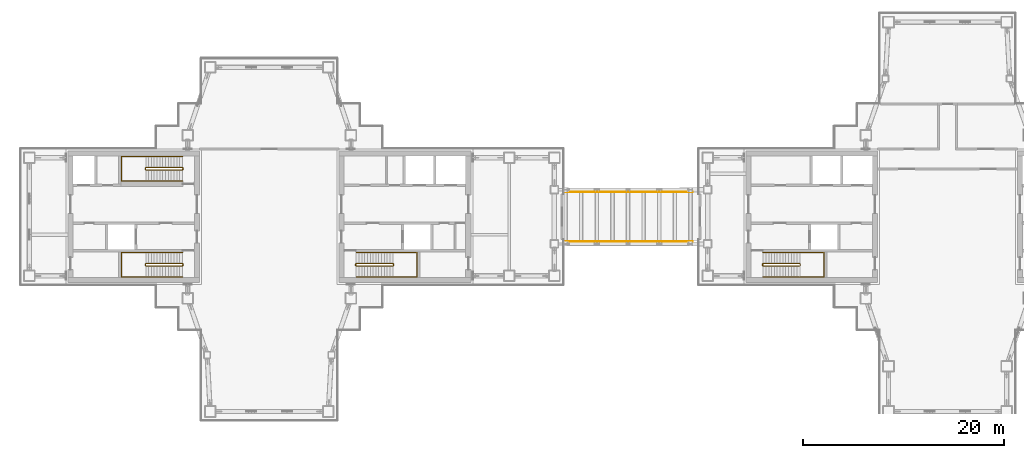
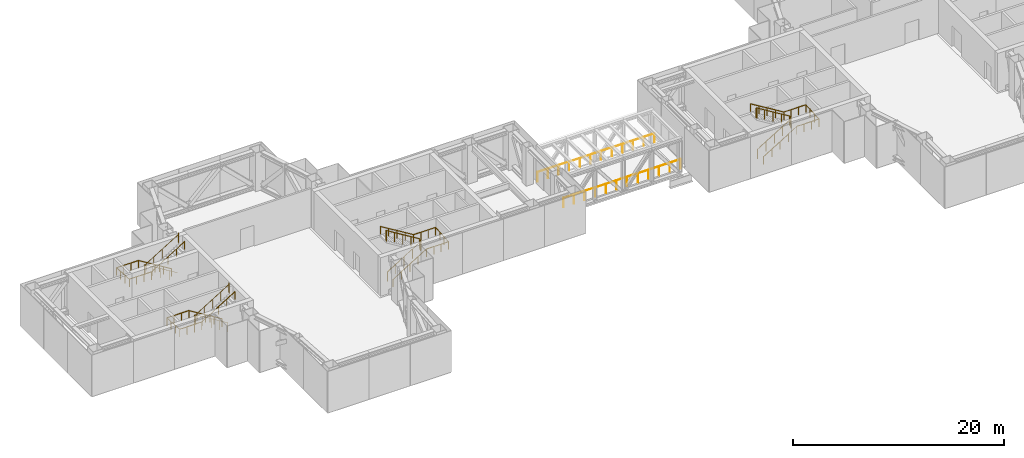
# One storey, part 20 of 21: 10 railings.
"""IFC4 building model written with IfcOpenShell, lengths in metres."""

from ifc_helpers import new_model, si_unit, direction, frame, origin, origin_2d, place, context, subcontext, project, spatial, circle, extrude, material, type_object, element, save


model = new_model("IFC4")

# Units and contexts
model_context = context("Model", 3, precision=1e-05, world=origin(), true_north=direction((0.0, 1.0)))
body_context = subcontext(model_context, "Body", "Model", "MODEL_VIEW")
ifc_project = project(units=[si_unit("LENGTHUNIT", "METRE"), si_unit("AREAUNIT", "SQUARE_METRE"), si_unit("VOLUMEUNIT", "CUBIC_METRE"), si_unit("PLANEANGLEUNIT", "RADIAN"), si_unit("MASSUNIT", "GRAM", prefix="KILO")], contexts=[model_context])

# Site, building, storey
site_placement = place(None, origin())
site = spatial("IfcSite", under=ifc_project, at=site_placement, CompositionType="ELEMENT")
building_placement = place(site_placement, origin())
building = spatial("IfcBuilding", under=site, at=building_placement, Name="Shamsa Quay Exchange Towers", CompositionType="ELEMENT")
storey_placement = place(building_placement, frame((0.0, 0.0, 177.89990234375)))
storey = spatial("IfcBuildingStorey", under=building, at=storey_placement, Name="L42", CompositionType="ELEMENT", Elevation=177.89990234375)

# Railings
ifc_material_1 = material(Name="Steel S355", Category="steel")
railing_type_1 = type_object("IfcRailingType", Name="SKYBRIDGE GUARD 1100", PredefinedType="GUARDRAIL", material=ifc_material_1)
for number, where, name in (
    (1, (-4.449951171875, -2.463623046875, 0.0), "Skybridge guard BR3 S"),
    (2, (-4.449951171875, 2.463623046875, 0.0), "Skybridge guard BR3 N"),
):
    element("IfcRailing", number, at=place(storey_placement, frame(where)), inside=storey, type_object=railing_type_1, Name=name, PredefinedType="GUARDRAIL", context=body_context, shape_type="SweptSolid", body=[
        extrude(circle(Radius=0.02392578125, at=origin_2d()), frame((0.0, 0.0, 1.076171875), z_axis=(1.0, 0.0, 0.0), x_axis=(0.0, 1.0, 0.0)), (0.0, 0.0, 1.0), 12.800048828125),
        extrude(circle(Radius=0.02099609375, at=origin_2d()), origin(), (0.0, 0.0, 1.0), 1.052001953125),
        extrude(circle(Radius=0.02099609375, at=origin_2d()), frame((1.16357421875, 0.0, 0.0)), (0.0, 0.0, 1.0), 1.052001953125),
        extrude(circle(Radius=0.02099609375, at=origin_2d()), frame((2.327392578125, 0.0, 0.0)), (0.0, 0.0, 1.0), 1.052001953125),
        extrude(circle(Radius=0.02099609375, at=origin_2d()), frame((3.490966796875, 0.0, 0.0)), (0.0, 0.0, 1.0), 1.052001953125),
        extrude(circle(Radius=0.02099609375, at=origin_2d()), frame((4.654541015625, 0.0, 0.0)), (0.0, 0.0, 1.0), 1.052001953125),
        extrude(circle(Radius=0.02099609375, at=origin_2d()), frame((5.818115234375, 0.0, 0.0)), (0.0, 0.0, 1.0), 1.052001953125),
        extrude(circle(Radius=0.02099609375, at=origin_2d()), frame((6.98193359375, 0.0, 0.0)), (0.0, 0.0, 1.0), 1.052001953125),
        extrude(circle(Radius=0.02099609375, at=origin_2d()), frame((8.1455078125, 0.0, 0.0)), (0.0, 0.0, 1.0), 1.052001953125),
        extrude(circle(Radius=0.02099609375, at=origin_2d()), frame((9.30908203125, 0.0, 0.0)), (0.0, 0.0, 1.0), 1.052001953125),
        extrude(circle(Radius=0.02099609375, at=origin_2d()), frame((10.47265625, 0.0, 0.0)), (0.0, 0.0, 1.0), 1.052001953125),
        extrude(circle(Radius=0.02099609375, at=origin_2d()), frame((11.636474609375, 0.0, 0.0)), (0.0, 0.0, 1.0), 1.052001953125),
        extrude(circle(Radius=0.02099609375, at=origin_2d()), frame((12.800048828125, 0.0, 0.0)), (0.0, 0.0, 1.0), 1.052001953125),
    ])
ifc_material_2 = material(Name="Stainless steel", Category="steel")
railing_type_2 = type_object("IfcRailingType", Name="STAIR GUARD 1100", PredefinedType="GUARDRAIL", material=ifc_material_2)
railing_1_placement = place(storey_placement, frame((-25.10009765625, -4.89990234375, 0.171630859375)))
element("IfcRailing", 3, at=railing_1_placement, inside=storey, type_object=railing_type_2, Name="L42 ST1 stair guard 1", PredefinedType="GUARDRAIL", context=body_context, shape_type="SweptSolid", body=[
    extrude(circle(Radius=0.02392578125, at=origin_2d()), frame((0.0, 0.0, 1.076171875), z_axis=(0.852865859571, 0.0, 0.52213008492), x_axis=(0.0, 1.0, 0.0)), (0.0, 0.0, 1.0), 4.26806640625),
    extrude(circle(Radius=0.02392578125, at=origin_2d()), frame((3.64013671875, 0.0, 3.3046875), z_axis=(0.708833529934, 0.705375805398, 0.0), x_axis=(-0.705375805398, 0.708833529934, 0.0)), (0.0, 0.0, 1.0), 0.070556640625),
    extrude(circle(Radius=0.02392578125, at=origin_2d()), frame((3.690185546875, 0.0498046875, 3.3046875), z_axis=(0.0, 1.0, 0.0), x_axis=(-1.0, 0.0, 0.0)), (0.0, 0.0, 1.0), 0.150146484375),
    extrude(circle(Radius=0.02392578125, at=origin_2d()), frame((3.690185546875, 0.199951171875, 3.3046875), z_axis=(-0.269911200495, 0.269911200495, 0.924281281696), x_axis=(-0.707106781187, -0.707106781187, 0.0)), (0.0, 0.0, 1.0), 0.185546875),
    extrude(circle(Radius=0.02392578125, at=origin_2d()), frame((3.64013671875, 0.25, 3.47607421875), z_axis=(-0.852865859571, 0.0, 0.52213008492), x_axis=(0.0, -1.0, 0.0)), (0.0, 0.0, 1.0), 4.26806640625),
    extrude(circle(Radius=0.02392578125, at=origin_2d()), frame((0.0, 0.25, 5.70458984375), z_axis=(-0.24142163986, -0.970420317083, 0.0), x_axis=(0.970420317083, -0.24142163986, 0.0)), (0.0, 0.0, 1.0), 0.206298828125),
    extrude(circle(Radius=0.02392578125, at=origin_2d()), frame((-0.0498046875, 0.0498046875, 5.70458984375), z_axis=(0.0, 1.0, 0.0), x_axis=(-1.0, 0.0, 0.0)), (0.0, 0.0, 1.0), 0.150146484375),
    extrude(circle(Radius=0.02099609375, at=origin_2d()), origin(), (0.0, 0.0, 1.0), 1.052001953125),
    extrude(circle(Radius=0.02099609375, at=origin_2d()), frame((0.91015625, 0.0, 0.55712890625)), (0.0, 0.0, 1.0), 1.052001953125),
    extrude(circle(Radius=0.02099609375, at=origin_2d()), frame((1.820068359375, 0.0, 1.1142578125)), (0.0, 0.0, 1.0), 1.052001953125),
    extrude(circle(Radius=0.02099609375, at=origin_2d()), frame((2.72998046875, 0.0, 1.67138671875)), (0.0, 0.0, 1.0), 1.052001953125),
    extrude(circle(Radius=0.02099609375, at=origin_2d()), frame((3.64013671875, 0.0, 2.228515625)), (0.0, 0.0, 1.0), 1.052001953125),
    extrude(circle(Radius=0.02099609375, at=origin_2d()), frame((3.690185546875, 0.0498046875, 2.228515625)), (0.0, 0.0, 1.0), 1.052001953125),
    extrude(circle(Radius=0.02099609375, at=origin_2d()), frame((3.690185546875, 0.199951171875, 2.228515625)), (0.0, 0.0, 1.0), 1.052001953125),
    extrude(circle(Radius=0.02099609375, at=origin_2d()), frame((3.64013671875, 0.25, 2.39990234375)), (0.0, 0.0, 1.0), 1.052001953125),
    extrude(circle(Radius=0.02099609375, at=origin_2d()), frame((2.72998046875, 0.25, 2.95703125)), (0.0, 0.0, 1.0), 1.052001953125),
    extrude(circle(Radius=0.02099609375, at=origin_2d()), frame((1.820068359375, 0.25, 3.51416015625)), (0.0, 0.0, 1.0), 1.052001953125),
    extrude(circle(Radius=0.02099609375, at=origin_2d()), frame((0.91015625, 0.25, 4.0712890625)), (0.0, 0.0, 1.0), 1.052001953125),
    extrude(circle(Radius=0.02099609375, at=origin_2d()), frame((0.0, 0.25, 4.62841796875)), (0.0, 0.0, 1.0), 1.052001953125),
    extrude(circle(Radius=0.02099609375, at=origin_2d()), frame((-0.0498046875, 0.0498046875, 4.62841796875)), (0.0, 0.0, 1.0), 1.052001953125),
    extrude(circle(Radius=0.02099609375, at=origin_2d()), frame((-0.0498046875, 0.199951171875, 4.62841796875)), (0.0, 0.0, 1.0), 1.052001953125),
])
railing_2_placement = place(storey_placement, frame((-42.39990234375, -4.64990234375, 0.171630859375)))
element("IfcRailing", 4, at=railing_2_placement, inside=storey, type_object=railing_type_2, Name="L42 ST2 stair guard 1", PredefinedType="GUARDRAIL", context=body_context, shape_type="SweptSolid", body=[
    extrude(circle(Radius=0.02392578125, at=origin_2d()), frame((0.0, 0.0, 1.076171875), z_axis=(-0.852865859571, 0.0, 0.52213008492), x_axis=(0.0, -1.0, 0.0)), (0.0, 0.0, 1.0), 4.26806640625),
    extrude(circle(Radius=0.02392578125, at=origin_2d()), frame((-3.64013671875, 0.0, 3.3046875), z_axis=(-0.707106781187, -0.707106781187, 0.0), x_axis=(0.707106781187, -0.707106781187, 0.0)), (0.0, 0.0, 1.0), 0.07080078125),
    extrude(circle(Radius=0.02392578125, at=origin_2d()), frame((-3.690185546875, -0.050048828125, 3.3046875), z_axis=(0.0, -1.0, 0.0), x_axis=(1.0, 0.0, 0.0)), (0.0, 0.0, 1.0), 0.150146484375),
    extrude(circle(Radius=0.02392578125, at=origin_2d()), frame((-3.690185546875, -0.2001953125, 3.3046875), z_axis=(0.270006937388, -0.268689830376, 0.924609122178), x_axis=(0.705375805398, 0.708833529934, 0.0)), (0.0, 0.0, 1.0), 0.185302734375),
    extrude(circle(Radius=0.02392578125, at=origin_2d()), frame((-3.64013671875, -0.25, 3.47607421875), z_axis=(0.852865859571, 0.0, 0.52213008492), x_axis=(0.0, 1.0, 0.0)), (0.0, 0.0, 1.0), 4.26806640625),
    extrude(circle(Radius=0.02392578125, at=origin_2d()), frame((0.0, -0.25, 5.70458984375), z_axis=(0.241699205484, 0.970351222016, 0.0), x_axis=(-0.970351222016, 0.241699205484, 0.0)), (0.0, 0.0, 1.0), 0.2060546875),
    extrude(circle(Radius=0.02392578125, at=origin_2d()), frame((0.0498046875, -0.050048828125, 5.70458984375), z_axis=(0.0, -1.0, 0.0), x_axis=(1.0, 0.0, 0.0)), (0.0, 0.0, 1.0), 0.150146484375),
    extrude(circle(Radius=0.02099609375, at=origin_2d()), origin(), (0.0, 0.0, 1.0), 1.052001953125),
    extrude(circle(Radius=0.02099609375, at=origin_2d()), frame((-0.91015625, 0.0, 0.55712890625)), (0.0, 0.0, 1.0), 1.052001953125),
    extrude(circle(Radius=0.02099609375, at=origin_2d()), frame((-1.820068359375, 0.0, 1.1142578125)), (0.0, 0.0, 1.0), 1.052001953125),
    extrude(circle(Radius=0.02099609375, at=origin_2d()), frame((-2.72998046875, 0.0, 1.67138671875)), (0.0, 0.0, 1.0), 1.052001953125),
    extrude(circle(Radius=0.02099609375, at=origin_2d()), frame((-3.64013671875, 0.0, 2.228515625)), (0.0, 0.0, 1.0), 1.052001953125),
    extrude(circle(Radius=0.02099609375, at=origin_2d()), frame((-3.690185546875, -0.050048828125, 2.228515625)), (0.0, 0.0, 1.0), 1.052001953125),
    extrude(circle(Radius=0.02099609375, at=origin_2d()), frame((-3.690185546875, -0.2001953125, 2.228515625)), (0.0, 0.0, 1.0), 1.052001953125),
    extrude(circle(Radius=0.02099609375, at=origin_2d()), frame((-3.64013671875, -0.25, 2.39990234375)), (0.0, 0.0, 1.0), 1.052001953125),
    extrude(circle(Radius=0.02099609375, at=origin_2d()), frame((-2.72998046875, -0.25, 2.95703125)), (0.0, 0.0, 1.0), 1.052001953125),
    extrude(circle(Radius=0.02099609375, at=origin_2d()), frame((-1.820068359375, -0.25, 3.51416015625)), (0.0, 0.0, 1.0), 1.052001953125),
    extrude(circle(Radius=0.02099609375, at=origin_2d()), frame((-0.91015625, -0.25, 4.0712890625)), (0.0, 0.0, 1.0), 1.052001953125),
    extrude(circle(Radius=0.02099609375, at=origin_2d()), frame((0.0, -0.25, 4.62841796875)), (0.0, 0.0, 1.0), 1.052001953125),
    extrude(circle(Radius=0.02099609375, at=origin_2d()), frame((0.0498046875, -0.050048828125, 4.62841796875)), (0.0, 0.0, 1.0), 1.052001953125),
    extrude(circle(Radius=0.02099609375, at=origin_2d()), frame((0.0498046875, -0.2001953125, 4.62841796875)), (0.0, 0.0, 1.0), 1.052001953125),
])
railing_3_placement = place(storey_placement, frame((-42.39990234375, 4.89990234375, 0.171630859375)))
element("IfcRailing", 5, at=railing_3_placement, inside=storey, type_object=railing_type_2, Name="L42 ST3 stair guard 1", PredefinedType="GUARDRAIL", context=body_context, shape_type="SweptSolid", body=[
    extrude(circle(Radius=0.02392578125, at=origin_2d()), frame((0.0, 0.0, 1.076171875), z_axis=(-0.852865859571, 0.0, 0.52213008492), x_axis=(0.0, -1.0, 0.0)), (0.0, 0.0, 1.0), 4.26806640625),
    extrude(circle(Radius=0.02392578125, at=origin_2d()), frame((-3.64013671875, 0.0, 3.3046875), z_axis=(-0.708833529934, -0.705375805398, 0.0), x_axis=(0.705375805398, -0.708833529934, 0.0)), (0.0, 0.0, 1.0), 0.070556640625),
    extrude(circle(Radius=0.02392578125, at=origin_2d()), frame((-3.690185546875, -0.0498046875, 3.3046875), z_axis=(0.0, -1.0, 0.0), x_axis=(1.0, 0.0, 0.0)), (0.0, 0.0, 1.0), 0.150146484375),
    extrude(circle(Radius=0.02392578125, at=origin_2d()), frame((-3.690185546875, -0.199951171875, 3.3046875), z_axis=(0.269911200495, -0.269911200495, 0.924281281696), x_axis=(0.707106781187, 0.707106781187, 0.0)), (0.0, 0.0, 1.0), 0.185546875),
    extrude(circle(Radius=0.02392578125, at=origin_2d()), frame((-3.64013671875, -0.25, 3.47607421875), z_axis=(0.852865859571, 0.0, 0.52213008492), x_axis=(0.0, 1.0, 0.0)), (0.0, 0.0, 1.0), 4.26806640625),
    extrude(circle(Radius=0.02392578125, at=origin_2d()), frame((0.0, -0.25, 5.70458984375), z_axis=(0.24142163986, 0.970420317083, 0.0), x_axis=(-0.970420317083, 0.24142163986, 0.0)), (0.0, 0.0, 1.0), 0.206298828125),
    extrude(circle(Radius=0.02392578125, at=origin_2d()), frame((0.0498046875, -0.0498046875, 5.70458984375), z_axis=(0.0, -1.0, 0.0), x_axis=(1.0, 0.0, 0.0)), (0.0, 0.0, 1.0), 0.150146484375),
    extrude(circle(Radius=0.02099609375, at=origin_2d()), origin(), (0.0, 0.0, 1.0), 1.052001953125),
    extrude(circle(Radius=0.02099609375, at=origin_2d()), frame((-0.91015625, 0.0, 0.55712890625)), (0.0, 0.0, 1.0), 1.052001953125),
    extrude(circle(Radius=0.02099609375, at=origin_2d()), frame((-1.820068359375, 0.0, 1.1142578125)), (0.0, 0.0, 1.0), 1.052001953125),
    extrude(circle(Radius=0.02099609375, at=origin_2d()), frame((-2.72998046875, 0.0, 1.67138671875)), (0.0, 0.0, 1.0), 1.052001953125),
    extrude(circle(Radius=0.02099609375, at=origin_2d()), frame((-3.64013671875, 0.0, 2.228515625)), (0.0, 0.0, 1.0), 1.052001953125),
    extrude(circle(Radius=0.02099609375, at=origin_2d()), frame((-3.690185546875, -0.0498046875, 2.228515625)), (0.0, 0.0, 1.0), 1.052001953125),
    extrude(circle(Radius=0.02099609375, at=origin_2d()), frame((-3.690185546875, -0.199951171875, 2.228515625)), (0.0, 0.0, 1.0), 1.052001953125),
    extrude(circle(Radius=0.02099609375, at=origin_2d()), frame((-3.64013671875, -0.25, 2.39990234375)), (0.0, 0.0, 1.0), 1.052001953125),
    extrude(circle(Radius=0.02099609375, at=origin_2d()), frame((-2.72998046875, -0.25, 2.95703125)), (0.0, 0.0, 1.0), 1.052001953125),
    extrude(circle(Radius=0.02099609375, at=origin_2d()), frame((-1.820068359375, -0.25, 3.51416015625)), (0.0, 0.0, 1.0), 1.052001953125),
    extrude(circle(Radius=0.02099609375, at=origin_2d()), frame((-0.91015625, -0.25, 4.0712890625)), (0.0, 0.0, 1.0), 1.052001953125),
    extrude(circle(Radius=0.02099609375, at=origin_2d()), frame((0.0, -0.25, 4.62841796875)), (0.0, 0.0, 1.0), 1.052001953125),
    extrude(circle(Radius=0.02099609375, at=origin_2d()), frame((0.0498046875, -0.0498046875, 4.62841796875)), (0.0, 0.0, 1.0), 1.052001953125),
    extrude(circle(Radius=0.02099609375, at=origin_2d()), frame((0.0498046875, -0.199951171875, 4.62841796875)), (0.0, 0.0, 1.0), 1.052001953125),
])
railing_4_placement = place(storey_placement, frame((15.39990234375, -4.89990234375, 0.171630859375)))
element("IfcRailing", 6, at=railing_4_placement, inside=storey, type_object=railing_type_2, Name="L42 ST4 stair guard 1", PredefinedType="GUARDRAIL", context=body_context, shape_type="SweptSolid", body=[
    extrude(circle(Radius=0.02392578125, at=origin_2d()), frame((0.0, 0.0, 1.076171875), z_axis=(0.852865859571, 0.0, 0.52213008492), x_axis=(0.0, 1.0, 0.0)), (0.0, 0.0, 1.0), 4.26806640625),
    extrude(circle(Radius=0.02392578125, at=origin_2d()), frame((3.64013671875, 0.0, 3.3046875), z_axis=(0.708833529934, 0.705375805398, 0.0), x_axis=(-0.705375805398, 0.708833529934, 0.0)), (0.0, 0.0, 1.0), 0.070556640625),
    extrude(circle(Radius=0.02392578125, at=origin_2d()), frame((3.690185546875, 0.0498046875, 3.3046875), z_axis=(0.0, 1.0, 0.0), x_axis=(-1.0, 0.0, 0.0)), (0.0, 0.0, 1.0), 0.150146484375),
    extrude(circle(Radius=0.02392578125, at=origin_2d()), frame((3.690185546875, 0.199951171875, 3.3046875), z_axis=(-0.269911200495, 0.269911200495, 0.924281281696), x_axis=(-0.707106781187, -0.707106781187, 0.0)), (0.0, 0.0, 1.0), 0.185546875),
    extrude(circle(Radius=0.02392578125, at=origin_2d()), frame((3.64013671875, 0.25, 3.47607421875), z_axis=(-0.852865859571, 0.0, 0.52213008492), x_axis=(0.0, -1.0, 0.0)), (0.0, 0.0, 1.0), 4.26806640625),
    extrude(circle(Radius=0.02392578125, at=origin_2d()), frame((0.0, 0.25, 5.70458984375), z_axis=(-0.24142163986, -0.970420317083, 0.0), x_axis=(0.970420317083, -0.24142163986, 0.0)), (0.0, 0.0, 1.0), 0.206298828125),
    extrude(circle(Radius=0.02392578125, at=origin_2d()), frame((-0.0498046875, 0.0498046875, 5.70458984375), z_axis=(0.0, 1.0, 0.0), x_axis=(-1.0, 0.0, 0.0)), (0.0, 0.0, 1.0), 0.150146484375),
    extrude(circle(Radius=0.02099609375, at=origin_2d()), origin(), (0.0, 0.0, 1.0), 1.052001953125),
    extrude(circle(Radius=0.02099609375, at=origin_2d()), frame((0.91015625, 0.0, 0.55712890625)), (0.0, 0.0, 1.0), 1.052001953125),
    extrude(circle(Radius=0.02099609375, at=origin_2d()), frame((1.820068359375, 0.0, 1.1142578125)), (0.0, 0.0, 1.0), 1.052001953125),
    extrude(circle(Radius=0.02099609375, at=origin_2d()), frame((2.72998046875, 0.0, 1.67138671875)), (0.0, 0.0, 1.0), 1.052001953125),
    extrude(circle(Radius=0.02099609375, at=origin_2d()), frame((3.64013671875, 0.0, 2.228515625)), (0.0, 0.0, 1.0), 1.052001953125),
    extrude(circle(Radius=0.02099609375, at=origin_2d()), frame((3.690185546875, 0.0498046875, 2.228515625)), (0.0, 0.0, 1.0), 1.052001953125),
    extrude(circle(Radius=0.02099609375, at=origin_2d()), frame((3.690185546875, 0.199951171875, 2.228515625)), (0.0, 0.0, 1.0), 1.052001953125),
    extrude(circle(Radius=0.02099609375, at=origin_2d()), frame((3.64013671875, 0.25, 2.39990234375)), (0.0, 0.0, 1.0), 1.052001953125),
    extrude(circle(Radius=0.02099609375, at=origin_2d()), frame((2.72998046875, 0.25, 2.95703125)), (0.0, 0.0, 1.0), 1.052001953125),
    extrude(circle(Radius=0.02099609375, at=origin_2d()), frame((1.820068359375, 0.25, 3.51416015625)), (0.0, 0.0, 1.0), 1.052001953125),
    extrude(circle(Radius=0.02099609375, at=origin_2d()), frame((0.91015625, 0.25, 4.0712890625)), (0.0, 0.0, 1.0), 1.052001953125),
    extrude(circle(Radius=0.02099609375, at=origin_2d()), frame((0.0, 0.25, 4.62841796875)), (0.0, 0.0, 1.0), 1.052001953125),
    extrude(circle(Radius=0.02099609375, at=origin_2d()), frame((-0.0498046875, 0.0498046875, 4.62841796875)), (0.0, 0.0, 1.0), 1.052001953125),
    extrude(circle(Radius=0.02099609375, at=origin_2d()), frame((-0.0498046875, 0.199951171875, 4.62841796875)), (0.0, 0.0, 1.0), 1.052001953125),
])
railing_type_3 = type_object("IfcRailingType", Name="STAIR HANDRAIL 900", PredefinedType="HANDRAIL", material=ifc_material_2)
railing_5_placement = place(storey_placement, frame((-25.10009765625, -6.0, 0.171630859375)))
element("IfcRailing", 7, at=railing_5_placement, inside=storey, type_object=railing_type_3, Name="L42 ST1 stair handrail 1", PredefinedType="HANDRAIL", context=body_context, shape_type="SweptSolid", body=[
    extrude(circle(Radius=0.02392578125, at=origin_2d()), frame((0.0, 0.0, 0.8759765625), z_axis=(0.852865859571, 0.0, 0.52213008492), x_axis=(0.0, 1.0, 0.0)), (0.0, 0.0, 1.0), 4.26806640625),
    extrude(circle(Radius=0.02392578125, at=origin_2d()), frame((3.64013671875, 0.0, 3.1044921875), z_axis=(1.0, 0.0, 0.0), x_axis=(0.0, 1.0, 0.0)), (0.0, 0.0, 1.0), 2.409912109375),
    extrude(circle(Radius=0.02392578125, at=origin_2d()), frame((6.050048828125, 0.0, 3.1044921875), z_axis=(0.0, 0.99756208224, 0.069784612031), x_axis=(-1.0, 0.0, 0.0)), (0.0, 0.0, 1.0), 2.4560546875),
    extrude(circle(Radius=0.02392578125, at=origin_2d()), frame((6.050048828125, 2.449951171875, 3.27587890625), z_axis=(-1.0, 0.0, 0.0), x_axis=(0.0, -1.0, 0.0)), (0.0, 0.0, 1.0), 2.409912109375),
    extrude(circle(Radius=0.02392578125, at=origin_2d()), frame((3.64013671875, 2.449951171875, 3.27587890625), z_axis=(-0.852865859571, 0.0, 0.52213008492), x_axis=(0.0, -1.0, 0.0)), (0.0, 0.0, 1.0), 4.26806640625),
    extrude(circle(Radius=0.02099609375, at=origin_2d()), origin(), (0.0, 0.0, 1.0), 0.851806640625),
    extrude(circle(Radius=0.02099609375, at=origin_2d()), frame((0.91015625, 0.0, 0.55712890625)), (0.0, 0.0, 1.0), 0.851806640625),
    extrude(circle(Radius=0.02099609375, at=origin_2d()), frame((1.820068359375, 0.0, 1.1142578125)), (0.0, 0.0, 1.0), 0.851806640625),
    extrude(circle(Radius=0.02099609375, at=origin_2d()), frame((2.72998046875, 0.0, 1.67138671875)), (0.0, 0.0, 1.0), 0.851806640625),
    extrude(circle(Radius=0.02099609375, at=origin_2d()), frame((3.64013671875, 0.0, 2.228515625)), (0.0, 0.0, 1.0), 0.851806640625),
    extrude(circle(Radius=0.02099609375, at=origin_2d()), frame((4.443359375, 0.0, 2.228515625)), (0.0, 0.0, 1.0), 0.851806640625),
    extrude(circle(Radius=0.02099609375, at=origin_2d()), frame((5.246826171875, 0.0, 2.228515625)), (0.0, 0.0, 1.0), 0.851806640625),
    extrude(circle(Radius=0.02099609375, at=origin_2d()), frame((6.050048828125, 0.0, 2.228515625)), (0.0, 0.0, 1.0), 0.851806640625),
    extrude(circle(Radius=0.02099609375, at=origin_2d()), frame((6.050048828125, 0.816650390625, 2.28564453125)), (0.0, 0.0, 1.0), 0.851806640625),
    extrude(circle(Radius=0.02099609375, at=origin_2d()), frame((6.050048828125, 1.63330078125, 2.3427734375)), (0.0, 0.0, 1.0), 0.851806640625),
    extrude(circle(Radius=0.02099609375, at=origin_2d()), frame((6.050048828125, 2.449951171875, 2.39990234375)), (0.0, 0.0, 1.0), 0.851806640625),
    extrude(circle(Radius=0.02099609375, at=origin_2d()), frame((5.246826171875, 2.449951171875, 2.39990234375)), (0.0, 0.0, 1.0), 0.851806640625),
    extrude(circle(Radius=0.02099609375, at=origin_2d()), frame((4.443359375, 2.449951171875, 2.39990234375)), (0.0, 0.0, 1.0), 0.851806640625),
    extrude(circle(Radius=0.02099609375, at=origin_2d()), frame((3.64013671875, 2.449951171875, 2.39990234375)), (0.0, 0.0, 1.0), 0.851806640625),
    extrude(circle(Radius=0.02099609375, at=origin_2d()), frame((2.72998046875, 2.449951171875, 2.95703125)), (0.0, 0.0, 1.0), 0.851806640625),
    extrude(circle(Radius=0.02099609375, at=origin_2d()), frame((1.820068359375, 2.449951171875, 3.51416015625)), (0.0, 0.0, 1.0), 0.851806640625),
    extrude(circle(Radius=0.02099609375, at=origin_2d()), frame((0.91015625, 2.449951171875, 4.0712890625)), (0.0, 0.0, 1.0), 0.851806640625),
    extrude(circle(Radius=0.02099609375, at=origin_2d()), frame((0.0, 2.449951171875, 4.62841796875)), (0.0, 0.0, 1.0), 0.851806640625),
])
railing_6_placement = place(storey_placement, frame((-42.39990234375, -3.550048828125, 0.171630859375)))
element("IfcRailing", 8, at=railing_6_placement, inside=storey, type_object=railing_type_3, Name="L42 ST2 stair handrail 1", PredefinedType="HANDRAIL", context=body_context, shape_type="SweptSolid", body=[
    extrude(circle(Radius=0.02392578125, at=origin_2d()), frame((0.0, 0.0, 0.8759765625), z_axis=(-0.852865859571, 0.0, 0.52213008492), x_axis=(0.0, -1.0, 0.0)), (0.0, 0.0, 1.0), 4.26806640625),
    extrude(circle(Radius=0.02392578125, at=origin_2d()), frame((-3.64013671875, 0.0, 3.1044921875), z_axis=(-1.0, 0.0, 0.0), x_axis=(0.0, -1.0, 0.0)), (0.0, 0.0, 1.0), 2.409912109375),
    extrude(circle(Radius=0.02392578125, at=origin_2d()), frame((-6.050048828125, 0.0, 3.1044921875), z_axis=(0.0, -0.99756208224, 0.069784612031), x_axis=(1.0, 0.0, 0.0)), (0.0, 0.0, 1.0), 2.4560546875),
    extrude(circle(Radius=0.02392578125, at=origin_2d()), frame((-6.050048828125, -2.449951171875, 3.27587890625), z_axis=(1.0, 0.0, 0.0), x_axis=(0.0, 1.0, 0.0)), (0.0, 0.0, 1.0), 2.409912109375),
    extrude(circle(Radius=0.02392578125, at=origin_2d()), frame((-3.64013671875, -2.449951171875, 3.27587890625), z_axis=(0.852865859571, 0.0, 0.52213008492), x_axis=(0.0, 1.0, 0.0)), (0.0, 0.0, 1.0), 4.26806640625),
    extrude(circle(Radius=0.02099609375, at=origin_2d()), origin(), (0.0, 0.0, 1.0), 0.851806640625),
    extrude(circle(Radius=0.02099609375, at=origin_2d()), frame((-0.91015625, 0.0, 0.55712890625)), (0.0, 0.0, 1.0), 0.851806640625),
    extrude(circle(Radius=0.02099609375, at=origin_2d()), frame((-1.820068359375, 0.0, 1.1142578125)), (0.0, 0.0, 1.0), 0.851806640625),
    extrude(circle(Radius=0.02099609375, at=origin_2d()), frame((-2.72998046875, 0.0, 1.67138671875)), (0.0, 0.0, 1.0), 0.851806640625),
    extrude(circle(Radius=0.02099609375, at=origin_2d()), frame((-3.64013671875, 0.0, 2.228515625)), (0.0, 0.0, 1.0), 0.851806640625),
    extrude(circle(Radius=0.02099609375, at=origin_2d()), frame((-4.443359375, 0.0, 2.228515625)), (0.0, 0.0, 1.0), 0.851806640625),
    extrude(circle(Radius=0.02099609375, at=origin_2d()), frame((-5.246826171875, 0.0, 2.228515625)), (0.0, 0.0, 1.0), 0.851806640625),
    extrude(circle(Radius=0.02099609375, at=origin_2d()), frame((-6.050048828125, 0.0, 2.228515625)), (0.0, 0.0, 1.0), 0.851806640625),
    extrude(circle(Radius=0.02099609375, at=origin_2d()), frame((-6.050048828125, -0.816650390625, 2.28564453125)), (0.0, 0.0, 1.0), 0.851806640625),
    extrude(circle(Radius=0.02099609375, at=origin_2d()), frame((-6.050048828125, -1.63330078125, 2.3427734375)), (0.0, 0.0, 1.0), 0.851806640625),
    extrude(circle(Radius=0.02099609375, at=origin_2d()), frame((-6.050048828125, -2.449951171875, 2.39990234375)), (0.0, 0.0, 1.0), 0.851806640625),
    extrude(circle(Radius=0.02099609375, at=origin_2d()), frame((-5.246826171875, -2.449951171875, 2.39990234375)), (0.0, 0.0, 1.0), 0.851806640625),
    extrude(circle(Radius=0.02099609375, at=origin_2d()), frame((-4.443359375, -2.449951171875, 2.39990234375)), (0.0, 0.0, 1.0), 0.851806640625),
    extrude(circle(Radius=0.02099609375, at=origin_2d()), frame((-3.64013671875, -2.449951171875, 2.39990234375)), (0.0, 0.0, 1.0), 0.851806640625),
    extrude(circle(Radius=0.02099609375, at=origin_2d()), frame((-2.72998046875, -2.449951171875, 2.95703125)), (0.0, 0.0, 1.0), 0.851806640625),
    extrude(circle(Radius=0.02099609375, at=origin_2d()), frame((-1.820068359375, -2.449951171875, 3.51416015625)), (0.0, 0.0, 1.0), 0.851806640625),
    extrude(circle(Radius=0.02099609375, at=origin_2d()), frame((-0.91015625, -2.449951171875, 4.0712890625)), (0.0, 0.0, 1.0), 0.851806640625),
    extrude(circle(Radius=0.02099609375, at=origin_2d()), frame((0.0, -2.449951171875, 4.62841796875)), (0.0, 0.0, 1.0), 0.851806640625),
])
railing_7_placement = place(storey_placement, frame((-42.39990234375, 6.0, 0.171630859375)))
element("IfcRailing", 9, at=railing_7_placement, inside=storey, type_object=railing_type_3, Name="L42 ST3 stair handrail 1", PredefinedType="HANDRAIL", context=body_context, shape_type="SweptSolid", body=[
    extrude(circle(Radius=0.02392578125, at=origin_2d()), frame((0.0, 0.0, 0.8759765625), z_axis=(-0.852865859571, 0.0, 0.52213008492), x_axis=(0.0, -1.0, 0.0)), (0.0, 0.0, 1.0), 4.26806640625),
    extrude(circle(Radius=0.02392578125, at=origin_2d()), frame((-3.64013671875, 0.0, 3.1044921875), z_axis=(-1.0, 0.0, 0.0), x_axis=(0.0, -1.0, 0.0)), (0.0, 0.0, 1.0), 2.409912109375),
    extrude(circle(Radius=0.02392578125, at=origin_2d()), frame((-6.050048828125, 0.0, 3.1044921875), z_axis=(0.0, -0.99756208224, 0.069784612031), x_axis=(1.0, 0.0, 0.0)), (0.0, 0.0, 1.0), 2.4560546875),
    extrude(circle(Radius=0.02392578125, at=origin_2d()), frame((-6.050048828125, -2.449951171875, 3.27587890625), z_axis=(1.0, 0.0, 0.0), x_axis=(0.0, 1.0, 0.0)), (0.0, 0.0, 1.0), 2.409912109375),
    extrude(circle(Radius=0.02392578125, at=origin_2d()), frame((-3.64013671875, -2.449951171875, 3.27587890625), z_axis=(0.852865859571, 0.0, 0.52213008492), x_axis=(0.0, 1.0, 0.0)), (0.0, 0.0, 1.0), 4.26806640625),
    extrude(circle(Radius=0.02099609375, at=origin_2d()), origin(), (0.0, 0.0, 1.0), 0.851806640625),
    extrude(circle(Radius=0.02099609375, at=origin_2d()), frame((-0.91015625, 0.0, 0.55712890625)), (0.0, 0.0, 1.0), 0.851806640625),
    extrude(circle(Radius=0.02099609375, at=origin_2d()), frame((-1.820068359375, 0.0, 1.1142578125)), (0.0, 0.0, 1.0), 0.851806640625),
    extrude(circle(Radius=0.02099609375, at=origin_2d()), frame((-2.72998046875, 0.0, 1.67138671875)), (0.0, 0.0, 1.0), 0.851806640625),
    extrude(circle(Radius=0.02099609375, at=origin_2d()), frame((-3.64013671875, 0.0, 2.228515625)), (0.0, 0.0, 1.0), 0.851806640625),
    extrude(circle(Radius=0.02099609375, at=origin_2d()), frame((-4.443359375, 0.0, 2.228515625)), (0.0, 0.0, 1.0), 0.851806640625),
    extrude(circle(Radius=0.02099609375, at=origin_2d()), frame((-5.246826171875, 0.0, 2.228515625)), (0.0, 0.0, 1.0), 0.851806640625),
    extrude(circle(Radius=0.02099609375, at=origin_2d()), frame((-6.050048828125, 0.0, 2.228515625)), (0.0, 0.0, 1.0), 0.851806640625),
    extrude(circle(Radius=0.02099609375, at=origin_2d()), frame((-6.050048828125, -0.816650390625, 2.28564453125)), (0.0, 0.0, 1.0), 0.851806640625),
    extrude(circle(Radius=0.02099609375, at=origin_2d()), frame((-6.050048828125, -1.63330078125, 2.3427734375)), (0.0, 0.0, 1.0), 0.851806640625),
    extrude(circle(Radius=0.02099609375, at=origin_2d()), frame((-6.050048828125, -2.449951171875, 2.39990234375)), (0.0, 0.0, 1.0), 0.851806640625),
    extrude(circle(Radius=0.02099609375, at=origin_2d()), frame((-5.246826171875, -2.449951171875, 2.39990234375)), (0.0, 0.0, 1.0), 0.851806640625),
    extrude(circle(Radius=0.02099609375, at=origin_2d()), frame((-4.443359375, -2.449951171875, 2.39990234375)), (0.0, 0.0, 1.0), 0.851806640625),
    extrude(circle(Radius=0.02099609375, at=origin_2d()), frame((-3.64013671875, -2.449951171875, 2.39990234375)), (0.0, 0.0, 1.0), 0.851806640625),
    extrude(circle(Radius=0.02099609375, at=origin_2d()), frame((-2.72998046875, -2.449951171875, 2.95703125)), (0.0, 0.0, 1.0), 0.851806640625),
    extrude(circle(Radius=0.02099609375, at=origin_2d()), frame((-1.820068359375, -2.449951171875, 3.51416015625)), (0.0, 0.0, 1.0), 0.851806640625),
    extrude(circle(Radius=0.02099609375, at=origin_2d()), frame((-0.91015625, -2.449951171875, 4.0712890625)), (0.0, 0.0, 1.0), 0.851806640625),
    extrude(circle(Radius=0.02099609375, at=origin_2d()), frame((0.0, -2.449951171875, 4.62841796875)), (0.0, 0.0, 1.0), 0.851806640625),
])
railing_8_placement = place(storey_placement, frame((15.39990234375, -6.0, 0.171630859375)))
element("IfcRailing", 10, at=railing_8_placement, inside=storey, type_object=railing_type_3, Name="L42 ST4 stair handrail 1", PredefinedType="HANDRAIL", context=body_context, shape_type="SweptSolid", body=[
    extrude(circle(Radius=0.02392578125, at=origin_2d()), frame((0.0, 0.0, 0.8759765625), z_axis=(0.852865859571, 0.0, 0.52213008492), x_axis=(0.0, 1.0, 0.0)), (0.0, 0.0, 1.0), 4.26806640625),
    extrude(circle(Radius=0.02392578125, at=origin_2d()), frame((3.64013671875, 0.0, 3.1044921875), z_axis=(1.0, 0.0, 0.0), x_axis=(0.0, 1.0, 0.0)), (0.0, 0.0, 1.0), 2.409912109375),
    extrude(circle(Radius=0.02392578125, at=origin_2d()), frame((6.050048828125, 0.0, 3.1044921875), z_axis=(0.0, 0.99756208224, 0.069784612031), x_axis=(-1.0, 0.0, 0.0)), (0.0, 0.0, 1.0), 2.4560546875),
    extrude(circle(Radius=0.02392578125, at=origin_2d()), frame((6.050048828125, 2.449951171875, 3.27587890625), z_axis=(-1.0, 0.0, 0.0), x_axis=(0.0, -1.0, 0.0)), (0.0, 0.0, 1.0), 2.409912109375),
    extrude(circle(Radius=0.02392578125, at=origin_2d()), frame((3.64013671875, 2.449951171875, 3.27587890625), z_axis=(-0.852865859571, 0.0, 0.52213008492), x_axis=(0.0, -1.0, 0.0)), (0.0, 0.0, 1.0), 4.26806640625),
    extrude(circle(Radius=0.02099609375, at=origin_2d()), origin(), (0.0, 0.0, 1.0), 0.851806640625),
    extrude(circle(Radius=0.02099609375, at=origin_2d()), frame((0.91015625, 0.0, 0.55712890625)), (0.0, 0.0, 1.0), 0.851806640625),
    extrude(circle(Radius=0.02099609375, at=origin_2d()), frame((1.820068359375, 0.0, 1.1142578125)), (0.0, 0.0, 1.0), 0.851806640625),
    extrude(circle(Radius=0.02099609375, at=origin_2d()), frame((2.72998046875, 0.0, 1.67138671875)), (0.0, 0.0, 1.0), 0.851806640625),
    extrude(circle(Radius=0.02099609375, at=origin_2d()), frame((3.64013671875, 0.0, 2.228515625)), (0.0, 0.0, 1.0), 0.851806640625),
    extrude(circle(Radius=0.02099609375, at=origin_2d()), frame((4.443359375, 0.0, 2.228515625)), (0.0, 0.0, 1.0), 0.851806640625),
    extrude(circle(Radius=0.02099609375, at=origin_2d()), frame((5.246826171875, 0.0, 2.228515625)), (0.0, 0.0, 1.0), 0.851806640625),
    extrude(circle(Radius=0.02099609375, at=origin_2d()), frame((6.050048828125, 0.0, 2.228515625)), (0.0, 0.0, 1.0), 0.851806640625),
    extrude(circle(Radius=0.02099609375, at=origin_2d()), frame((6.050048828125, 0.816650390625, 2.28564453125)), (0.0, 0.0, 1.0), 0.851806640625),
    extrude(circle(Radius=0.02099609375, at=origin_2d()), frame((6.050048828125, 1.63330078125, 2.3427734375)), (0.0, 0.0, 1.0), 0.851806640625),
    extrude(circle(Radius=0.02099609375, at=origin_2d()), frame((6.050048828125, 2.449951171875, 2.39990234375)), (0.0, 0.0, 1.0), 0.851806640625),
    extrude(circle(Radius=0.02099609375, at=origin_2d()), frame((5.246826171875, 2.449951171875, 2.39990234375)), (0.0, 0.0, 1.0), 0.851806640625),
    extrude(circle(Radius=0.02099609375, at=origin_2d()), frame((4.443359375, 2.449951171875, 2.39990234375)), (0.0, 0.0, 1.0), 0.851806640625),
    extrude(circle(Radius=0.02099609375, at=origin_2d()), frame((3.64013671875, 2.449951171875, 2.39990234375)), (0.0, 0.0, 1.0), 0.851806640625),
    extrude(circle(Radius=0.02099609375, at=origin_2d()), frame((2.72998046875, 2.449951171875, 2.95703125)), (0.0, 0.0, 1.0), 0.851806640625),
    extrude(circle(Radius=0.02099609375, at=origin_2d()), frame((1.820068359375, 2.449951171875, 3.51416015625)), (0.0, 0.0, 1.0), 0.851806640625),
    extrude(circle(Radius=0.02099609375, at=origin_2d()), frame((0.91015625, 2.449951171875, 4.0712890625)), (0.0, 0.0, 1.0), 0.851806640625),
    extrude(circle(Radius=0.02099609375, at=origin_2d()), frame((0.0, 2.449951171875, 4.62841796875)), (0.0, 0.0, 1.0), 0.851806640625),
])

save(model, "model.ifc")
